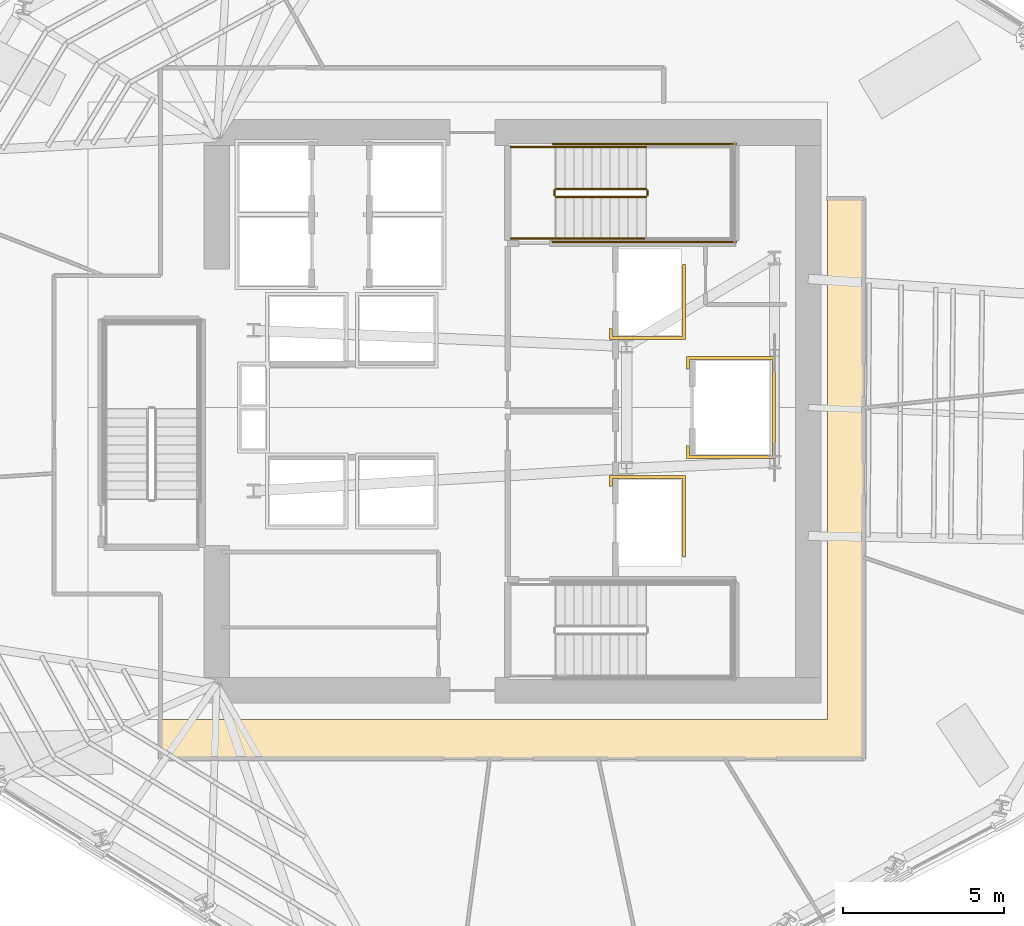
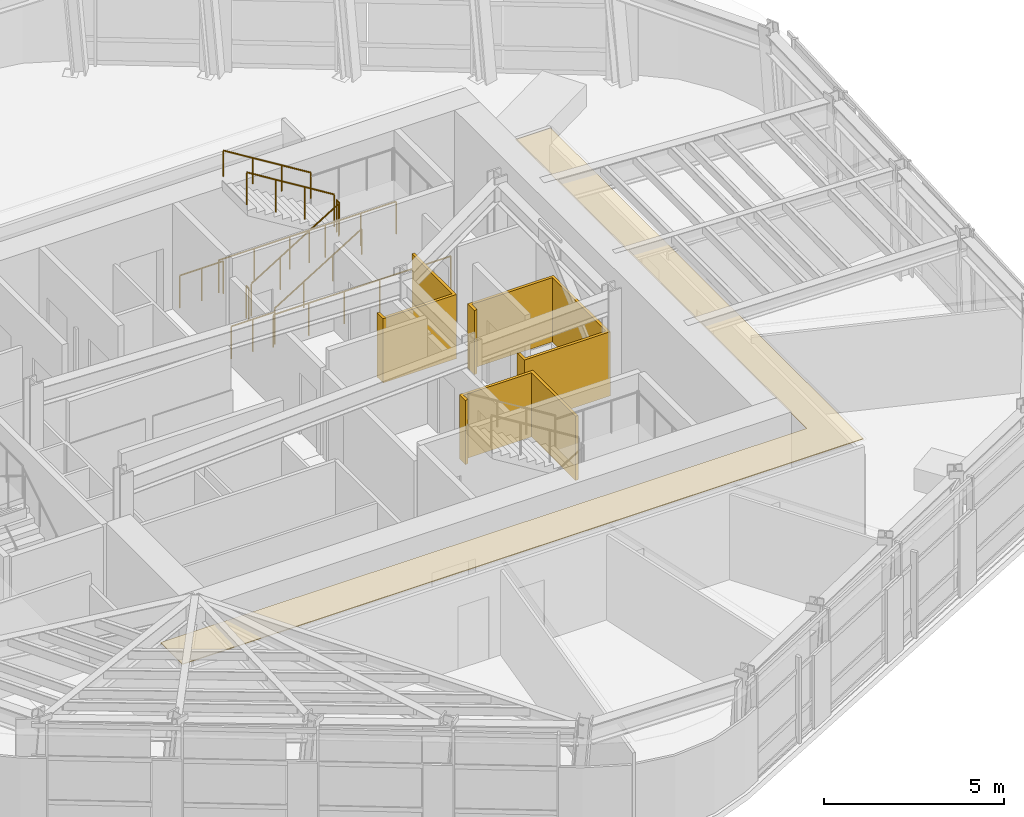
# One storey, part 12 of 14: 10 railings, 4 coverings.
"""IFC4 building model written with IfcOpenShell, lengths in metres."""

from ifc_helpers import new_model, si_unit, direction, frame, origin, origin_2d, place, context, subcontext, project, spatial, polyline, circle, outline, extrude, material, layer, layer_set, type_object, element, save


model = new_model("IFC4")

# Units and contexts
model_context = context("Model", 3, precision=1e-05, world=origin(), true_north=direction((0.0, 1.0)))
body_context = subcontext(model_context, "Body", "Model", "MODEL_VIEW")
ifc_project = project(units=[si_unit("LENGTHUNIT", "METRE"), si_unit("AREAUNIT", "SQUARE_METRE"), si_unit("VOLUMEUNIT", "CUBIC_METRE"), si_unit("PLANEANGLEUNIT", "RADIAN"), si_unit("MASSUNIT", "GRAM", prefix="KILO")], contexts=[model_context])

# Site, building, storey
site_placement = place(None, origin())
site = spatial("IfcSite", under=ifc_project, at=site_placement, CompositionType="ELEMENT")
building_placement = place(site_placement, origin())
building = spatial("IfcBuilding", under=site, at=building_placement, Name="Valkerne Bourse Tower", CompositionType="ELEMENT")
storey_placement = place(building_placement, frame((0.0, 0.0, 143.800048828125)))
storey = spatial("IfcBuildingStorey", under=building, at=storey_placement, Name="L36", CompositionType="ELEMENT", Elevation=143.800048828125)

# Coverings
ifc_material_1 = material(Name="Bronze Anodised Aluminium AA 6063-T6", Category="aluminium")
ifc_layer_1 = layer(ifc_material_1, 0.030029296875)
ifc_layer_set_1 = layer_set([ifc_layer_1], Name="Bronze Anodised Aluminium AA 6063-T6")
covering_type_1 = type_object("IfcCoveringType", Name="COV-CEIL-METAL", PredefinedType="CEILING", material=ifc_layer_set_1)
covering_1_placement = place(storey_placement, frame((0.0, 0.0, 3.22998046875)))
element("IfcCovering", 1, at=covering_1_placement, inside=storey, type_object=covering_type_1, Name="L36 Suspended Ceiling 01", PredefinedType="CEILING", context=body_context, shape_type="SweptSolid", body=[
    extrude(outline(polyline([(35.85400390625, 17.300048828125), (56.60009765625, 17.300048828125), (56.60009765625, 33.49609375), (57.716064453125, 33.49609375), (57.716064453125, 16.083984375), (35.85400390625, 16.083984375), (35.85400390625, 17.300048828125)])), origin(), (0.0, 0.0, 1.0), 0.02490234375),
])
ifc_material_2 = material(Name="Gypsum Shaftwall Liner Board", Category="gypsum")
ifc_layer_2 = layer(ifc_material_2, 0.080078125)
ifc_layer_set_2 = layer_set([ifc_layer_2], Name="Gypsum Shaftwall Liner Board")
covering_type_2 = type_object("IfcCoveringType", Name="COV-SHF-CLAD", PredefinedType="CLADDING", material=ifc_layer_set_2)
covering_2_placement = place(storey_placement, origin())
element("IfcCovering", 2, at=covering_2_placement, inside=storey, type_object=covering_type_2, Name="L36 Hoistway & Riser Shaftwall Liner 05", PredefinedType="CLADDING", context=body_context, shape_type="SweptSolid", body=[
    extrude(outline(polyline([(52.179931640625, 22.35009765625), (52.090087890625, 22.35009765625), (52.090087890625, 24.7900390625), (49.909912109375, 24.7900390625), (49.909912109375, 24.560791015625), (49.869384765625, 24.550537109375), (49.827880859375, 24.53564453125), (49.820068359375, 24.531982421875), (49.820068359375, 24.8798828125), (52.179931640625, 24.8798828125), (52.179931640625, 22.35009765625)])), origin(), (0.0, 0.0, 1.0), 2.179931640625),
])
covering_3_placement = place(storey_placement, origin())
element("IfcCovering", 3, at=covering_3_placement, inside=storey, type_object=covering_type_2, Name="L36 Hoistway & Riser Shaftwall Liner 06", PredefinedType="CLADDING", context=body_context, shape_type="SweptSolid", body=[
    extrude(outline(polyline([(54.97998046875, 25.419921875), (52.219970703125, 25.419921875), (52.219970703125, 25.81787109375), (52.227783203125, 25.814208984375), (52.269287109375, 25.79931640625), (52.31005859375, 25.789306640625), (52.31005859375, 25.510009765625), (54.889892578125, 25.510009765625), (54.889892578125, 28.489990234375), (52.31005859375, 28.489990234375), (52.31005859375, 28.210693359375), (52.269287109375, 28.20068359375), (52.227783203125, 28.185791015625), (52.219970703125, 28.18212890625), (52.219970703125, 28.580078125), (54.97998046875, 28.580078125), (54.97998046875, 25.419921875)])), origin(), (0.0, 0.0, 1.0), 2.179931640625),
])
covering_4_placement = place(storey_placement, origin())
element("IfcCovering", 4, at=covering_4_placement, inside=storey, type_object=covering_type_2, Name="L36 Hoistway & Riser Shaftwall Liner 08", PredefinedType="CLADDING", context=body_context, shape_type="SweptSolid", body=[
    extrude(outline(polyline([(49.820068359375, 29.1201171875), (49.820068359375, 29.468017578125), (49.827880859375, 29.46435546875), (49.869384765625, 29.449462890625), (49.909912109375, 29.439208984375), (49.909912109375, 29.2099609375), (52.090087890625, 29.2099609375), (52.090087890625, 31.449951171875), (52.179931640625, 31.449951171875), (52.179931640625, 29.1201171875), (49.820068359375, 29.1201171875)])), origin(), (0.0, 0.0, 1.0), 2.179931640625),
])

# Railings
ifc_material_3 = material(Name="Galvanised Painted Steel", Category="steel")
railing_type_1 = type_object("IfcRailingType", Name="RLG-ST-GUARD-1120", PredefinedType="GUARDRAIL", material=ifc_material_3)
railing_1_placement = place(storey_placement, frame((48.14990234375, 33.550048828125, 0.172607421875)))
element("IfcRailing", 5, at=railing_1_placement, inside=storey, type_object=railing_type_1, Name="L36 ST-2 stair guard 1", PredefinedType="GUARDRAIL", context=body_context, shape_type="SweptSolid", body=[
    extrude(circle(Radius=0.02392578125, at=origin_2d()), frame((0.0, 0.0, 1.09619140625), z_axis=(0.851089632645, 0.0, 0.525020415988), x_axis=(0.0, 1.0, 0.0)), (0.0, 0.0, 1.0), 3.2900390625),
    extrude(circle(Radius=0.02099609375, at=origin_2d()), origin(), (0.0, 0.0, 1.0), 1.072021484375),
    extrude(circle(Radius=0.02099609375, at=origin_2d()), frame((0.933349609375, 0.0, 0.57568359375)), (0.0, 0.0, 1.0), 1.072021484375),
    extrude(circle(Radius=0.02099609375, at=origin_2d()), frame((1.86669921875, 0.0, 1.151611328125)), (0.0, 0.0, 1.0), 1.072021484375),
    extrude(circle(Radius=0.02099609375, at=origin_2d()), frame((2.800048828125, 0.0, 1.727294921875)), (0.0, 0.0, 1.0), 1.072021484375),
])
railing_2_placement = place(storey_placement, frame((51.0, 33.60009765625, 1.89990234375)))
element("IfcRailing", 6, at=railing_2_placement, inside=storey, type_object=railing_type_1, Name="L36 ST-2 stair guard 2", PredefinedType="GUARDRAIL", context=body_context, shape_type="SweptSolid", body=[
    extrude(circle(Radius=0.02392578125, at=origin_2d()), frame((0.0, 0.0, 1.09619140625), z_axis=(0.0, 1.0, 0.0), x_axis=(-1.0, 0.0, 0.0)), (0.0, 0.0, 1.0), 0.14990234375),
    extrude(circle(Radius=0.02099609375, at=origin_2d()), origin(), (0.0, 0.0, 1.0), 1.072021484375),
    extrude(circle(Radius=0.02099609375, at=origin_2d()), frame((0.0, 0.14990234375, 0.0)), (0.0, 0.0, 1.0), 1.072021484375),
])
railing_3_placement = place(storey_placement, frame((50.949951171875, 33.800048828125, 2.07275390625)))
element("IfcRailing", 7, at=railing_3_placement, inside=storey, type_object=railing_type_1, Name="L36 ST-2 stair guard 6", PredefinedType="GUARDRAIL", context=body_context, shape_type="SweptSolid", body=[
    extrude(circle(Radius=0.02392578125, at=origin_2d()), frame((0.0, 0.0, 1.09619140625), z_axis=(-0.851089632645, 0.0, 0.525020415988), x_axis=(0.0, -1.0, 0.0)), (0.0, 0.0, 1.0), 3.2900390625),
    extrude(circle(Radius=0.02099609375, at=origin_2d()), origin(), (0.0, 0.0, 1.0), 1.072021484375),
    extrude(circle(Radius=0.02099609375, at=origin_2d()), frame((-0.933349609375, 0.0, 0.57568359375)), (0.0, 0.0, 1.0), 1.072021484375),
    extrude(circle(Radius=0.02099609375, at=origin_2d()), frame((-1.86669921875, 0.0, 1.151611328125)), (0.0, 0.0, 1.0), 1.072021484375),
    extrude(circle(Radius=0.02099609375, at=origin_2d()), frame((-2.800048828125, 0.0, 1.727294921875)), (0.0, 0.0, 1.0), 1.072021484375),
])
railing_4_placement = place(storey_placement, frame((48.10009765625, 33.60009765625, 0.0)))
element("IfcRailing", 8, at=railing_4_placement, inside=storey, type_object=railing_type_1, Name="L36 ST-2 stair guard 7", PredefinedType="GUARDRAIL", context=body_context, shape_type="SweptSolid", body=[
    extrude(circle(Radius=0.02392578125, at=origin_2d()), frame((0.0, 0.0, 1.09619140625), z_axis=(0.0, 1.0, 0.0), x_axis=(-1.0, 0.0, 0.0)), (0.0, 0.0, 1.0), 0.14990234375),
    extrude(circle(Radius=0.02099609375, at=origin_2d()), origin(), (0.0, 0.0, 1.0), 1.072021484375),
    extrude(circle(Radius=0.02099609375, at=origin_2d()), frame((0.0, 0.14990234375, 0.0)), (0.0, 0.0, 1.0), 1.072021484375),
])
for number, where, name in (
    (9, (46.75, 32.25, 0.0), "L36 ST-2 stair guard 8"),
    (10, (46.75, 35.10009765625, 0.0), "L36 ST-2 stair guard 9"),
):
    element("IfcRailing", number, at=place(storey_placement, frame(where)), inside=storey, type_object=railing_type_1, Name=name, PredefinedType="GUARDRAIL", context=body_context, shape_type="SweptSolid", body=[
        extrude(circle(Radius=0.02392578125, at=origin_2d()), frame((0.0, 0.0, 1.09619140625), z_axis=(1.0, 0.0, 0.0), x_axis=(0.0, 1.0, 0.0)), (0.0, 0.0, 1.0), 1.39990234375),
        extrude(circle(Radius=0.02099609375, at=origin_2d()), origin(), (0.0, 0.0, 1.0), 1.072021484375),
        extrude(circle(Radius=0.02099609375, at=origin_2d()), frame((0.699951171875, 0.0, 0.0)), (0.0, 0.0, 1.0), 1.072021484375),
        extrude(circle(Radius=0.02099609375, at=origin_2d()), frame((1.39990234375, 0.0, 0.0)), (0.0, 0.0, 1.0), 1.072021484375),
    ])
for number, where, name in (
    (11, (48.050048828125, 32.14990234375, 0.0), "L36 ST-2 stair guard 10"),
    (12, (48.050048828125, 35.199951171875, 0.0), "L36 ST-2 stair guard 11"),
):
    element("IfcRailing", number, at=place(storey_placement, frame(where)), inside=storey, type_object=railing_type_1, Name=name, PredefinedType="GUARDRAIL", context=body_context, shape_type="SweptSolid", body=[
        extrude(circle(Radius=0.02392578125, at=origin_2d()), frame((0.0, 0.0, 1.09619140625), z_axis=(1.0, 0.0, 0.0), x_axis=(0.0, 1.0, 0.0)), (0.0, 0.0, 1.0), 5.699951171875),
        extrude(circle(Radius=0.02099609375, at=origin_2d()), origin(), (0.0, 0.0, 1.0), 1.072021484375),
        extrude(circle(Radius=0.02099609375, at=origin_2d()), frame((1.139892578125, 0.0, 0.0)), (0.0, 0.0, 1.0), 1.072021484375),
        extrude(circle(Radius=0.02099609375, at=origin_2d()), frame((2.280029296875, 0.0, 0.0)), (0.0, 0.0, 1.0), 1.072021484375),
        extrude(circle(Radius=0.02099609375, at=origin_2d()), frame((3.419921875, 0.0, 0.0)), (0.0, 0.0, 1.0), 1.072021484375),
        extrude(circle(Radius=0.02099609375, at=origin_2d()), frame((4.56005859375, 0.0, 0.0)), (0.0, 0.0, 1.0), 1.072021484375),
        extrude(circle(Radius=0.02099609375, at=origin_2d()), frame((5.699951171875, 0.0, 0.0)), (0.0, 0.0, 1.0), 1.072021484375),
    ])
ifc_material_4 = material(Name="Stainless Steel AISI 316", Category="steel")
railing_type_2 = type_object("IfcRailingType", Name="RLG-ST-HANDRAIL-900", PredefinedType="HANDRAIL", material=ifc_material_4)
railing_5_placement = place(storey_placement, frame((48.14990234375, 32.25, 0.345458984375)))
element("IfcRailing", 13, at=railing_5_placement, inside=storey, type_object=railing_type_2, Name="L36 ST-2 stair handrail 1", PredefinedType="HANDRAIL", context=body_context, shape_type="SweptSolid", body=[
    extrude(circle(Radius=0.02392578125, at=origin_2d()), frame((0.0, 0.0, 0.8759765625), z_axis=(0.851089632645, 0.0, 0.525020415988), x_axis=(0.0, 1.0, 0.0)), (0.0, 0.0, 1.0), 3.2900390625),
    extrude(circle(Radius=0.02099609375, at=origin_2d()), origin(), (0.0, 0.0, 1.0), 0.851806640625),
    extrude(circle(Radius=0.02099609375, at=origin_2d()), frame((0.933349609375, 0.0, 0.57568359375)), (0.0, 0.0, 1.0), 0.851806640625),
    extrude(circle(Radius=0.02099609375, at=origin_2d()), frame((1.86669921875, 0.0, 1.151611328125)), (0.0, 0.0, 1.0), 0.851806640625),
    extrude(circle(Radius=0.02099609375, at=origin_2d()), frame((2.800048828125, 0.0, 1.727294921875)), (0.0, 0.0, 1.0), 0.851806640625),
])
railing_6_placement = place(storey_placement, frame((50.949951171875, 35.10009765625, 2.245361328125)))
element("IfcRailing", 14, at=railing_6_placement, inside=storey, type_object=railing_type_2, Name="L36 ST-2 stair handrail 2", PredefinedType="HANDRAIL", context=body_context, shape_type="SweptSolid", body=[
    extrude(circle(Radius=0.02392578125, at=origin_2d()), frame((0.0, 0.0, 0.8759765625), z_axis=(-0.851089632645, 0.0, 0.525020415988), x_axis=(0.0, -1.0, 0.0)), (0.0, 0.0, 1.0), 3.2900390625),
    extrude(circle(Radius=0.02099609375, at=origin_2d()), origin(), (0.0, 0.0, 1.0), 0.851806640625),
    extrude(circle(Radius=0.02099609375, at=origin_2d()), frame((-0.933349609375, 0.0, 0.57568359375)), (0.0, 0.0, 1.0), 0.851806640625),
    extrude(circle(Radius=0.02099609375, at=origin_2d()), frame((-1.86669921875, 0.0, 1.151611328125)), (0.0, 0.0, 1.0), 0.851806640625),
    extrude(circle(Radius=0.02099609375, at=origin_2d()), frame((-2.800048828125, 0.0, 1.727294921875)), (0.0, 0.0, 1.0), 0.851806640625),
])

save(model, "model.ifc")
